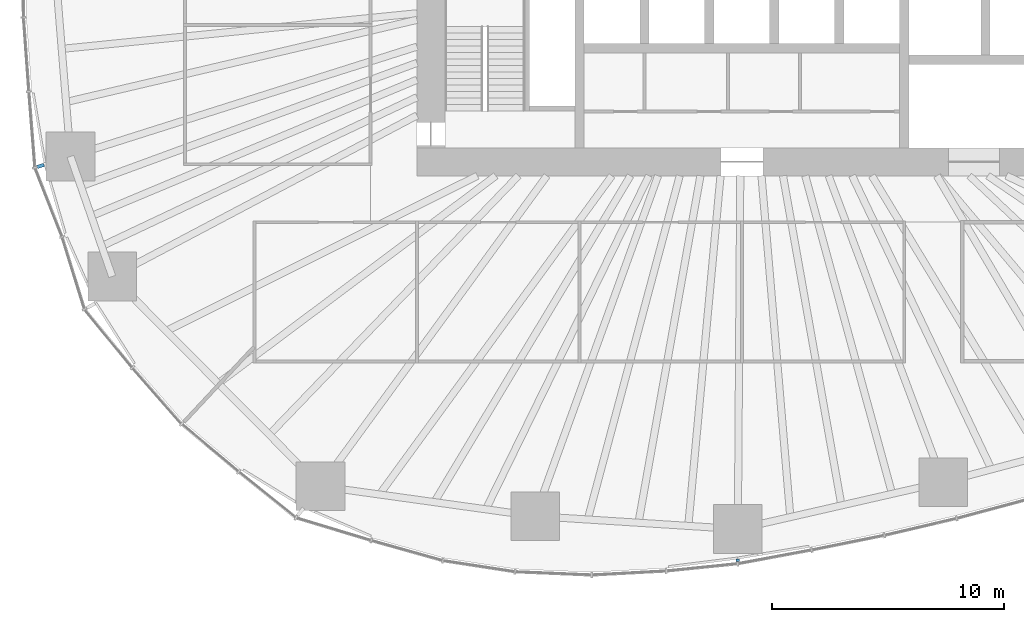
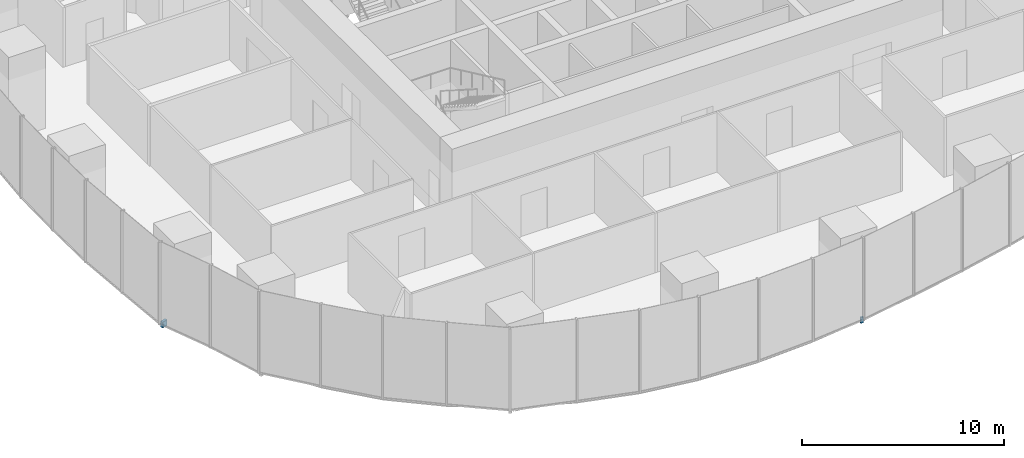
# One storey, part 13 of 20: 2 discrete accessories.
"""IFC4 building model written with IfcOpenShell, lengths in metres."""

import ifcopenshell
import ifcopenshell.guid

model = None  # the IFC model being written
_history = None  # IfcOwnerHistory: only IFC2X3 demands one
_inside = {}  # id of a spatial element -> (the spatial element, [elements in it])
_under = {}  # id of a project, library or spatial element -> (it, [spatial elements below it])
_declared = {}  # id of a project -> (the project, [libraries it declares])
_typed = {}  # id of a type object -> (the type object, [elements of that type])
_made_of = {}  # id of a material, layer set ... -> (it, [elements and type objects made of it])


def new_model(schema):
    """Start an empty IFC model of exactly this schema.

    Asked for "IFC4X3", IfcOpenShell would pick the latest addendum, in which some entities
    have other attributes; the version numbers below select the first issue.
    IFC2X3 requires an IfcOwnerHistory on every rooted entity: one is made here for all.
    """
    global model, _history
    if schema == "IFC4X3":
        model = ifcopenshell.file(schema_version=(4, 3, 0, 0))
    else:
        model = ifcopenshell.file(schema=schema)
    _inside.clear()
    _under.clear()
    _declared.clear()
    _typed.clear()
    _made_of.clear()
    _history = None
    if model.schema == "IFC2X3":
        org = make("IfcOrganization", Name="unknown")
        user = make(
            "IfcPersonAndOrganization",
            ThePerson=make("IfcPerson", FamilyName="unknown"),
            TheOrganization=org,
        )
        app = make(
            "IfcApplication",
            ApplicationDeveloper=org,
            Version="unknown",
            ApplicationFullName="unknown",
            ApplicationIdentifier="unknown",
        )
        _history = make(
            "IfcOwnerHistory",
            OwningUser=user,
            OwningApplication=app,
            ChangeAction="ADDED",
            CreationDate=0,
        )
    return model


def make(cls, **values):
    """One entity of the class cls with the attributes given. An attribute that is None is left unset."""
    return model.create_entity(
        cls, **{name: value for name, value in values.items() if value is not None}
    )


def rooted(cls, **values):
    """An entity with a GlobalId (a new one), such as an element, a storey or a relation."""
    return make(cls, GlobalId=ifcopenshell.guid.new(), OwnerHistory=_history, **values)


def si_unit(unit_type, name, prefix=None):
    """IfcSIUnit, for example si_unit("LENGTHUNIT", "METRE", prefix="MILLI")."""
    return make("IfcSIUnit", UnitType=unit_type, Prefix=prefix, Name=name)


def assignment(units):
    """IfcUnitAssignment: the units of a project."""
    return None if units is None else make("IfcUnitAssignment", Units=units)


def point(xyz):
    """IfcCartesianPoint."""
    return None if xyz is None else make("IfcCartesianPoint", Coordinates=xyz)


def direction(xyz):
    """IfcDirection."""
    return None if xyz is None else make("IfcDirection", DirectionRatios=xyz)


def frame(location, z_axis=None, x_axis=None):
    """IfcAxis2Placement3D, a coordinate frame: its origin and axes. An axis left out is left unset."""
    return make(
        "IfcAxis2Placement3D",
        Location=point(location),
        Axis=direction(z_axis),
        RefDirection=direction(x_axis),
    )


def frame_2d(location, x_axis=None):
    """IfcAxis2Placement2D, a coordinate frame in the plane: its origin and x axis."""
    return make(
        "IfcAxis2Placement2D", Location=point(location), RefDirection=direction(x_axis)
    )


def origin():
    """The frame at (0, 0, 0) with its axes left unset."""
    return frame((0.0, 0.0, 0.0))


def origin_2d():
    """The frame at (0, 0) in the plane with its x axis left unset."""
    return frame_2d((0.0, 0.0))


def place(relative_to, where):
    """IfcLocalPlacement: puts the frame where relative to a parent placement (None: the world)."""
    return make(
        "IfcLocalPlacement", PlacementRelTo=relative_to, RelativePlacement=where
    )


def context(
    kind, dimensions, precision=None, world=None, true_north=None, identifier=None
):
    """IfcGeometricRepresentationContext, for example the 3D "Model" context."""
    return make(
        "IfcGeometricRepresentationContext",
        ContextIdentifier=identifier,
        ContextType=kind,
        CoordinateSpaceDimension=dimensions,
        Precision=precision,
        WorldCoordinateSystem=world,
        TrueNorth=true_north,
    )


def subcontext(parent, identifier, kind, view, scale=None):
    """IfcGeometricRepresentationSubContext, for example "Body" below "Model"."""
    return make(
        "IfcGeometricRepresentationSubContext",
        ContextIdentifier=identifier,
        ContextType=kind,
        ParentContext=parent,
        TargetScale=scale,
        TargetView=view,
    )


def project(units=None, contexts=None):
    """IfcProject with its units and contexts."""
    return rooted(
        "IfcProject",
        Name="project",
        RepresentationContexts=contexts,
        UnitsInContext=assignment(units),
    )


def spatial(cls, under=None, at=None, **own):
    """A site, building, storey or space (cls), placed at a placement, below another one or the project."""
    s = rooted(cls, ObjectPlacement=at, **own)
    if under is not None:
        _under.setdefault(under.id(), (under, []))[1].append(s)
    return s


def profile(cls, at=None, kind="AREA", **sizes):
    """A parametric profile (cls). Its sizes go by their IFC names, for example OverallWidth=200.0."""
    return make(cls, ProfileType=kind, Position=at, **sizes)


def rectangle(**sizes):
    """IfcRectangleProfileDef."""
    return profile("IfcRectangleProfileDef", **sizes)


def extrude(swept, where, along, depth):
    """IfcExtrudedAreaSolid: the profile swept, set in the frame where, extruded along a direction by depth."""
    return make(
        "IfcExtrudedAreaSolid",
        SweptArea=swept,
        Position=where,
        ExtrudedDirection=direction(along),
        Depth=depth,
    )


def shape(context_of_items, identifier, shape_type, items):
    """IfcShapeRepresentation: the items that make up one representation, for example the "Body"."""
    return make(
        "IfcShapeRepresentation",
        ContextOfItems=context_of_items,
        RepresentationIdentifier=identifier,
        RepresentationType=shape_type,
        Items=items,
    )


def material(Name=None, Category=None):
    """IfcMaterial."""
    return make("IfcMaterial", Name=Name, Category=Category)


def made_of(thing, what):
    """Note that an element or type object is made of a material, layer set ...; save() writes the relation."""
    if what is not None:
        _made_of.setdefault(what.id(), (what, []))[1].append(thing)
    return thing


def type_object(cls, material=None, **own):
    """A type object (cls), such as IfcWallType, which elements share."""
    return made_of(rooted(cls, **own), material)


def element(
    cls,
    number,
    at=None,
    inside=None,
    cuts=None,
    type_object=None,
    material=None,
    context=None,
    identifier="Body",
    shape_type=None,
    held_by="IfcProductDefinitionShape",
    body=None,
    shapes=None,
    **own,
):
    """One element of the class cls, such as IfcWall. Its Tag is "e" and its number.

    at: its placement. inside: the storey or other place that contains it. cuts: it is an
    opening in that element (IfcRelVoidsElement). A single representation is given by context,
    identifier, shape_type and body (its items); several are given by shapes. held_by: the class
    of the entity that holds the representations. save() writes the other relations.
    """
    e = rooted(cls, Tag="e%d" % number, ObjectPlacement=at, **own)
    if body is not None:
        shapes = [shape(context, identifier, shape_type, body)]
    if shapes is not None:
        e.Representation = make(held_by, Representations=shapes)
    if inside is not None:
        _inside.setdefault(inside.id(), (inside, []))[1].append(e)
    if cuts is not None:
        rooted(
            "IfcRelVoidsElement", RelatingBuildingElement=cuts, RelatedOpeningElement=e
        )
    if type_object is not None:
        _typed.setdefault(type_object.id(), (type_object, []))[1].append(e)
    return made_of(e, material)


def aggregate(whole, parts):
    """IfcRelAggregates: a whole, such as a stair, and the parts it consists of."""
    return rooted("IfcRelAggregates", RelatingObject=whole, RelatedObjects=parts)


def save(model, path):
    """Write the relations noted so far, then the file.

    IfcRelAggregates (storeys below a building ...), IfcRelContainedInSpatialStructure (elements
    in a storey), IfcRelDefinesByType, IfcRelAssociatesMaterial and IfcRelDeclares: one each for
    every whole, place, type object, material and project.
    """
    for whole, parts in _under.values():
        aggregate(whole, parts)
    for where, things in _inside.values():
        rooted(
            "IfcRelContainedInSpatialStructure",
            RelatedElements=things,
            RelatingStructure=where,
        )
    for kind, things in _typed.values():
        rooted("IfcRelDefinesByType", RelatedObjects=things, RelatingType=kind)
    for what, things in _made_of.values():
        rooted("IfcRelAssociatesMaterial", RelatedObjects=things, RelatingMaterial=what)
    for by, libraries in _declared.values():
        rooted("IfcRelDeclares", RelatingContext=by, RelatedDefinitions=libraries)
    model.write(path)


model = new_model("IFC4")

# Units and contexts
model_context = context("Model", 3, precision=1e-05, world=origin(), true_north=direction((0.0, 1.0)))
body_context = subcontext(model_context, "Body", "Model", "MODEL_VIEW")
ifc_project = project(units=[si_unit("LENGTHUNIT", "METRE"), si_unit("AREAUNIT", "SQUARE_METRE"), si_unit("VOLUMEUNIT", "CUBIC_METRE"), si_unit("PLANEANGLEUNIT", "RADIAN"), si_unit("MASSUNIT", "GRAM", prefix="KILO")], contexts=[model_context])

# Site, building, storey
site_placement = place(None, origin())
site = spatial("IfcSite", under=ifc_project, at=site_placement, CompositionType="ELEMENT")
building_placement = place(site_placement, origin())
building = spatial("IfcBuilding", under=site, at=building_placement, Name="Ghaith Harvest Tower", CompositionType="ELEMENT")
storey_placement = place(building_placement, frame((0.0, 0.0, 45.0)))
storey = spatial("IfcBuildingStorey", under=building, at=storey_placement, Name="L09", CompositionType="ELEMENT", Elevation=45.0)

# Discrete accessories
ifc_material_1 = material(Name="Stainless steel grade 1.4401", Category="steel")
discrete_accessory_type_1 = type_object("IfcDiscreteAccessoryType", Name="CURTAIN WALL BRACKET 315", PredefinedType="BRACKET", material=ifc_material_1)
discrete_accessory_1_placement = place(storey_placement, frame((-30.219482421875, -9.5771484375, -0.25), z_axis=(0.0, 0.0, 1.0), x_axis=(-0.953273219416, -0.302109531701, 0.0)))
element("IfcDiscreteAccessory", 1, at=discrete_accessory_1_placement, inside=storey, type_object=discrete_accessory_type_1, Name="CW-F bracket 1 bay 12 L09", PredefinedType="BRACKET", context=body_context, shape_type="SweptSolid", body=[
    extrude(rectangle(XDim=0.31494140625, YDim=0.14990234375, at=origin_2d()), origin(), (0.0, 0.0, 1.0), 0.35009765625),
])
ifc_material_2 = material(Name="Stainless steel grade 1.4401", Category="steel")
discrete_accessory_type_2 = type_object("IfcDiscreteAccessoryType", Name="CURTAIN WALL BRACKET 95", PredefinedType="BRACKET", material=ifc_material_2)
discrete_accessory_2_placement = place(storey_placement, frame((-0.181884765625, -26.569580078125, -0.25), z_axis=(0.0, 0.0, 1.0), x_axis=(-0.006843747957, -0.999976581283, 0.0)))
element("IfcDiscreteAccessory", 2, at=discrete_accessory_2_placement, inside=storey, type_object=discrete_accessory_type_2, Name="CW-F bracket 1 bay 16 L09", PredefinedType="BRACKET", context=body_context, shape_type="SweptSolid", body=[
    extrude(rectangle(XDim=0.094970703125, YDim=0.14990234375, at=origin_2d()), origin(), (0.0, 0.0, 1.0), 0.35009765625),
])

save(model, "model.ifc")
